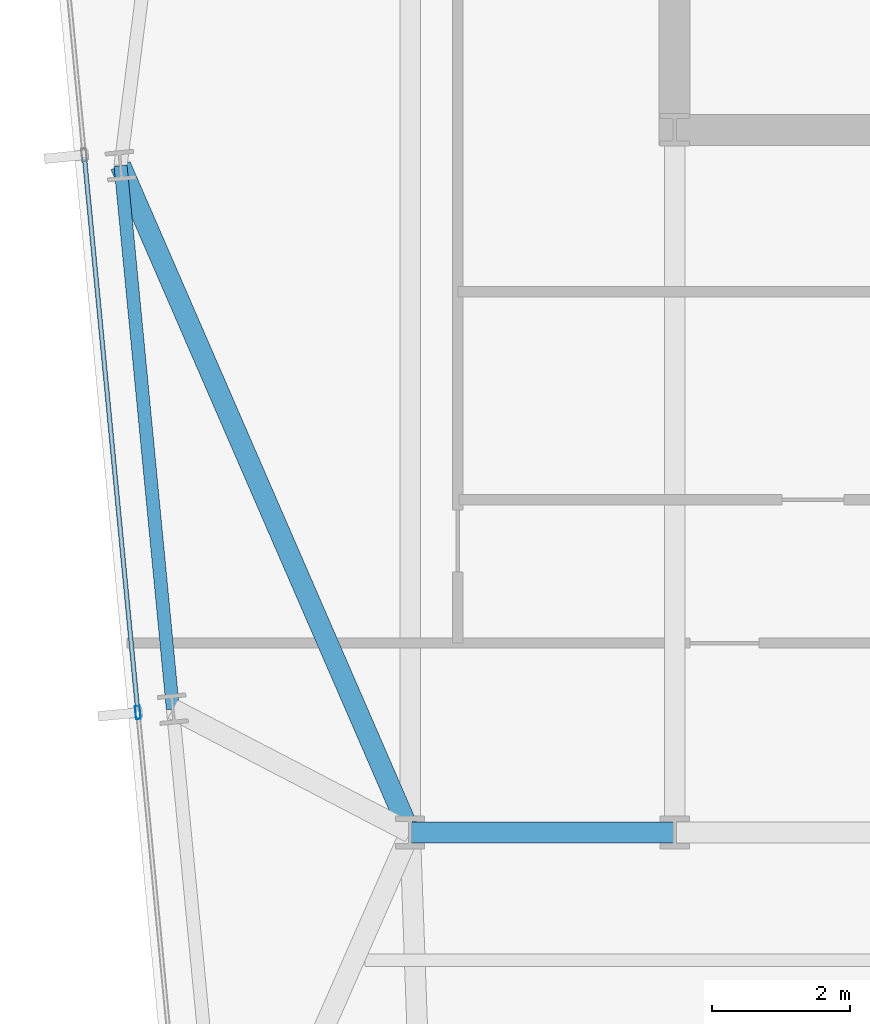
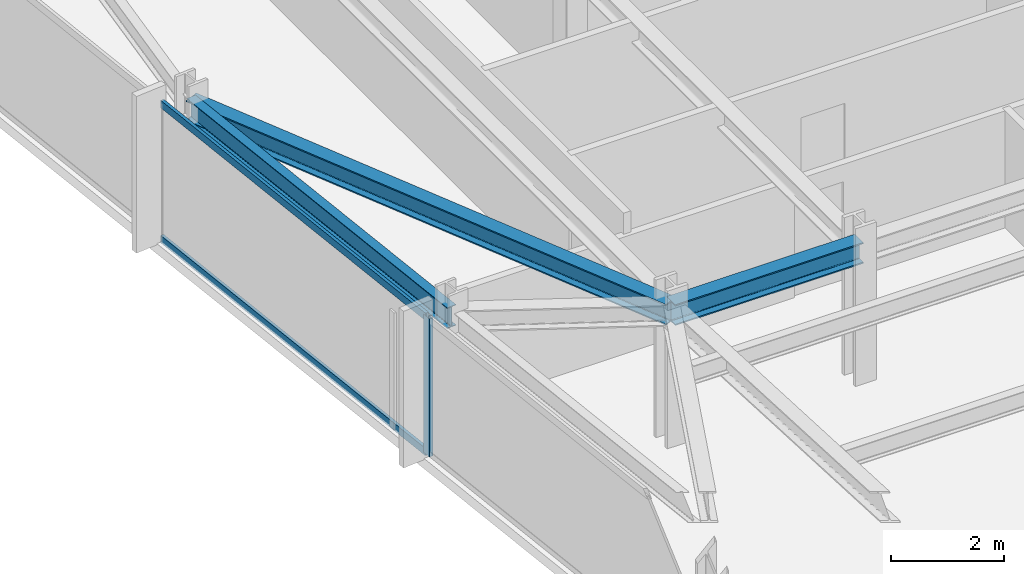
# One storey, part 6 of 32: 3 beams, 3 members, 1 element without a shape of its own.
"""IFC4 building model written with IfcOpenShell, lengths in metres."""

from ifc_helpers import new_model, si_unit, direction, frame, origin, origin_2d, place, context, subcontext, project, spatial, hollow_rectangle, i_section, extrude, material, material_profile, profile_set, type_object, element, aggregate, save


model = new_model("IFC4")

# Units and contexts
model_context = context("Model", 3, precision=1e-05, world=origin(), true_north=direction((0.0, 1.0)))
body_context = subcontext(model_context, "Body", "Model", "MODEL_VIEW")
ifc_project = project(units=[si_unit("LENGTHUNIT", "METRE"), si_unit("AREAUNIT", "SQUARE_METRE"), si_unit("VOLUMEUNIT", "CUBIC_METRE"), si_unit("PLANEANGLEUNIT", "RADIAN"), si_unit("MASSUNIT", "GRAM", prefix="KILO")], contexts=[model_context])

# Site, building, storey
site_placement = place(None, origin())
site = spatial("IfcSite", under=ifc_project, at=site_placement, CompositionType="ELEMENT")
building_placement = place(site_placement, origin())
building = spatial("IfcBuilding", under=site, at=building_placement, Name="Yelkora Congress Tower", CompositionType="ELEMENT")
storey_placement = place(building_placement, frame((0.0, 0.0, 133.89990234375)))
storey = spatial("IfcBuildingStorey", under=building, at=storey_placement, Name="L36", CompositionType="ELEMENT", Elevation=133.89990234375)

# Beams
ifc_material_1 = material(Name="Steel S355J2", Category="steel")
ifc_material_profile_1 = material_profile(ifc_material_1, i_section(OverallWidth=0.300048828125, OverallDepth=0.449951171875, WebThickness=0.013916015625, FlangeThickness=0.02587890625, FilletRadius=0.027099609375, at=origin_2d()), Name="HEB 450")
ifc_profile_set_1 = profile_set([ifc_material_profile_1], Name="Steel S355J2")
beam_type_1 = type_object("IfcBeamType", Name="BM-GIRD-HEB450", PredefinedType="BEAM", material=ifc_profile_set_1)
beam_1_placement = place(storey_placement, frame((19.199951171875, 25.199951171875, 2.755126953125), z_axis=(1.0, 0.0, 0.0), x_axis=(0.0, 1.0, 0.0)))
element("IfcBeam", 1, at=beam_1_placement, inside=storey, type_object=beam_type_1, Name="L36 Spine Grid D Girder 1", PredefinedType="BEAM", context=body_context, shape_type="SweptSolid", body=[
    extrude(i_section(OverallWidth=0.300048828125, OverallDepth=0.449951171875, WebThickness=0.013916015625, FlangeThickness=0.02587890625, FilletRadius=0.027099609375, at=origin_2d()), origin(), (0.0, 0.0, 1.0), 3.840087890625),
])
beam_2_placement = place(storey_placement, frame((14.997314453125, 34.87890625, 2.755126953125), z_axis=(0.398279362914, -0.917264165373, 0.0), x_axis=(0.917264165373, 0.398279362914, 0.0)))
element("IfcBeam", 2, at=beam_2_placement, inside=storey, type_object=beam_type_1, Name="L36 Primary Frame Girder W03", PredefinedType="BEAM", context=body_context, shape_type="SweptSolid", body=[
    extrude(i_section(OverallWidth=0.300048828125, OverallDepth=0.449951171875, WebThickness=0.013916015625, FlangeThickness=0.02587890625, FilletRadius=0.027099609375, at=origin_2d()), origin(), (0.0, 0.0, 1.0), 10.552001953125),
])
ifc_material_profile_2 = material_profile(ifc_material_1, i_section(OverallWidth=0.18994140625, OverallDepth=0.449951171875, WebThickness=0.009521484375, FlangeThickness=0.0146484375, FilletRadius=0.02099609375, at=origin_2d()), Name="IPE 450")
ifc_profile_set_2 = profile_set([ifc_material_profile_2], Name="Steel S355J2")
beam_type_2 = type_object("IfcBeamType", Name="BM-SPAN-IPE450", PredefinedType="SPANDREL", material=ifc_profile_set_2)
beam_3_placement = place(storey_placement, frame((14.997314453125, 34.87890625, 2.755126953125), z_axis=(0.095870310714, -0.995393833376, 0.0), x_axis=(0.995393833376, 0.095870310714, 0.0)))
element("IfcBeam", 3, at=beam_3_placement, inside=storey, type_object=beam_type_2, Name="L36 Perimeter Beam 19", PredefinedType="SPANDREL", context=body_context, shape_type="SweptSolid", body=[
    extrude(i_section(OverallWidth=0.18994140625, OverallDepth=0.449951171875, WebThickness=0.009521484375, FlangeThickness=0.0146484375, FilletRadius=0.02099609375, at=origin_2d()), origin(), (0.0, 0.0, 1.0), 7.925048828125),
])

# Curtain wall, members
ifc_material_2 = material(Name="Anodised aluminium and insulated glass", Category="aluminium")
curtain_wall_type = type_object("IfcCurtainWallType", Name="CW-SYS-B2", PredefinedType="NOTDEFINED", material=ifc_material_2)
curtain_wall_placement = place(storey_placement, origin())
curtain_wall = element("IfcCurtainWall", 4, at=curtain_wall_placement, inside=storey, type_object=curtain_wall_type, Name="L36 Unitised Curtain Wall 5", PredefinedType="NOTDEFINED")
ifc_material_3 = material(Name="Anodised aluminium 6063-T6", Category="aluminium")
ifc_material_profile_3 = material_profile(ifc_material_3, hollow_rectangle(XDim=0.070068359375, YDim=0.18994140625, WallThickness=0.00390625, at=origin_2d()), Name="ALU 70x190x4")
ifc_profile_set_3 = profile_set([ifc_material_profile_3], Name="Anodised aluminium 6063-T6")
member_type_1 = type_object("IfcMemberType", Name="MEM-ML-B2", PredefinedType="MULLION", material=ifc_profile_set_3)
member_1_placement = place(storey_placement, frame((15.249267578125, 26.941650390625, 0.0), z_axis=(0.0, 0.0, 1.0), x_axis=(-0.995396507508, -0.095842541913, 0.0)))
member_1 = element("IfcMember", 5, at=member_1_placement, type_object=member_type_1, Name="CW-B2 mullion 3", PredefinedType="MULLION", context=body_context, shape_type="SweptSolid", body=[
    extrude(hollow_rectangle(XDim=0.070068359375, YDim=0.18994140625, WallThickness=0.00390625, at=origin_2d()), origin(), (0.0, 0.0, 1.0), 2.97998046875),
])
ifc_material_profile_4 = material_profile(ifc_material_3, hollow_rectangle(XDim=0.06494140625, YDim=0.159912109375, WallThickness=0.00390625, at=origin_2d()), Name="ALU 65x160x4")
ifc_profile_set_4 = profile_set([ifc_material_profile_4], Name="Anodised aluminium 6063-T6")
member_type_2 = type_object("IfcMemberType", Name="MEM-TR-B2", PredefinedType="USERDEFINED", material=ifc_profile_set_4)
member_2_placement = place(storey_placement, frame((15.245849609375, 26.976318359375, 0.03271484375), z_axis=(-0.095838228465, 0.995396922823, 0.0), x_axis=(-0.995396922823, -0.095838228465, 0.0)))
member_2 = element("IfcMember", 6, at=member_2_placement, type_object=member_type_2, Name="CW-B2 transom 3.1", ObjectType="TRANSOM", PredefinedType="USERDEFINED", context=body_context, shape_type="SweptSolid", body=[
    extrude(hollow_rectangle(XDim=0.06494140625, YDim=0.159912109375, WallThickness=0.00390625, at=origin_2d()), origin(), (0.0, 0.0, 1.0), 8.06005859375),
])
member_3_placement = place(storey_placement, frame((15.245849609375, 26.976318359375, 2.947509765625), z_axis=(-0.095838228465, 0.995396922823, 0.0), x_axis=(-0.995396922823, -0.095838228465, 0.0)))
member_3 = element("IfcMember", 7, at=member_3_placement, type_object=member_type_2, Name="CW-B2 transom 3.2", ObjectType="TRANSOM", PredefinedType="USERDEFINED", context=body_context, shape_type="SweptSolid", body=[
    extrude(hollow_rectangle(XDim=0.06494140625, YDim=0.159912109375, WallThickness=0.00390625, at=origin_2d()), origin(), (0.0, 0.0, 1.0), 8.06005859375),
])
aggregate(curtain_wall, [member_1, member_2, member_3])

save(model, "model.ifc")
